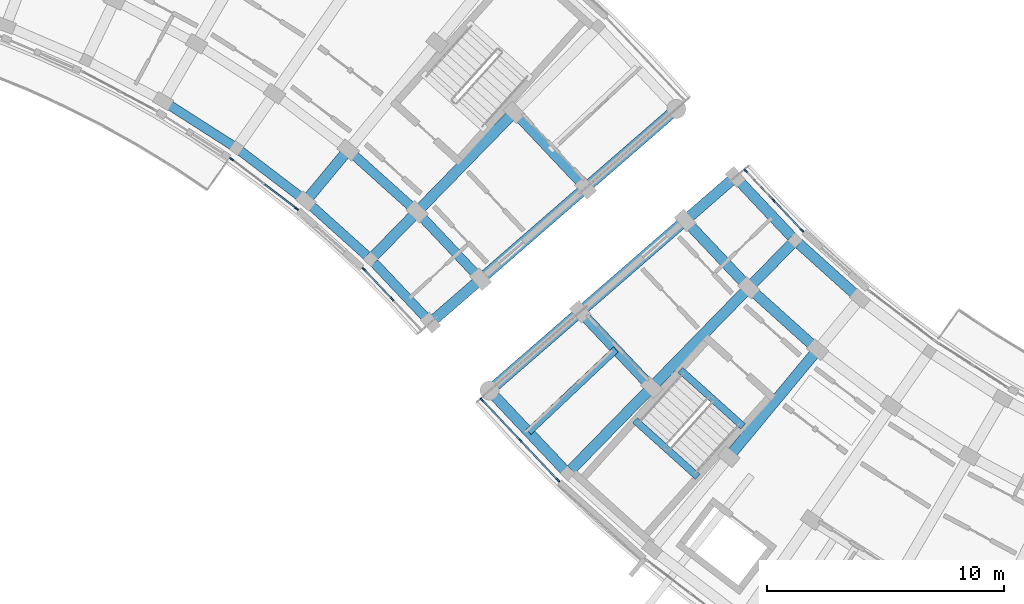
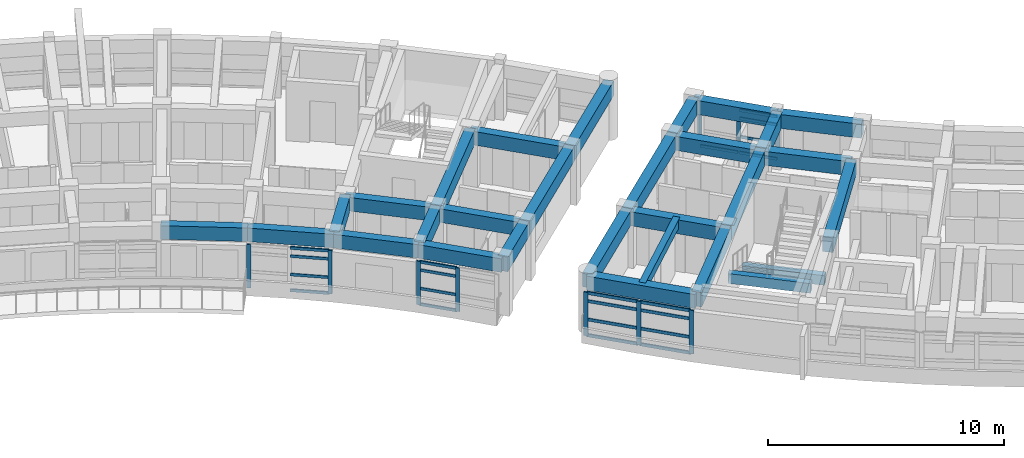
# One storey, part 10 of 56: 31 members, 29 beams, 4 elements without a shape of their own.
"""IFC4 building model written with IfcOpenShell, lengths in metres."""

import ifcopenshell
import ifcopenshell.guid

model = None  # the IFC model being written
_history = None  # IfcOwnerHistory: only IFC2X3 demands one
_inside = {}  # id of a spatial element -> (the spatial element, [elements in it])
_under = {}  # id of a project, library or spatial element -> (it, [spatial elements below it])
_declared = {}  # id of a project -> (the project, [libraries it declares])
_typed = {}  # id of a type object -> (the type object, [elements of that type])
_made_of = {}  # id of a material, layer set ... -> (it, [elements and type objects made of it])


def new_model(schema):
    """Start an empty IFC model of exactly this schema.

    Asked for "IFC4X3", IfcOpenShell would pick the latest addendum, in which some entities
    have other attributes; the version numbers below select the first issue.
    IFC2X3 requires an IfcOwnerHistory on every rooted entity: one is made here for all.
    """
    global model, _history
    if schema == "IFC4X3":
        model = ifcopenshell.file(schema_version=(4, 3, 0, 0))
    else:
        model = ifcopenshell.file(schema=schema)
    _inside.clear()
    _under.clear()
    _declared.clear()
    _typed.clear()
    _made_of.clear()
    _history = None
    if model.schema == "IFC2X3":
        org = make("IfcOrganization", Name="unknown")
        user = make(
            "IfcPersonAndOrganization",
            ThePerson=make("IfcPerson", FamilyName="unknown"),
            TheOrganization=org,
        )
        app = make(
            "IfcApplication",
            ApplicationDeveloper=org,
            Version="unknown",
            ApplicationFullName="unknown",
            ApplicationIdentifier="unknown",
        )
        _history = make(
            "IfcOwnerHistory",
            OwningUser=user,
            OwningApplication=app,
            ChangeAction="ADDED",
            CreationDate=0,
        )
    return model


def make(cls, **values):
    """One entity of the class cls with the attributes given. An attribute that is None is left unset."""
    return model.create_entity(
        cls, **{name: value for name, value in values.items() if value is not None}
    )


def rooted(cls, **values):
    """An entity with a GlobalId (a new one), such as an element, a storey or a relation."""
    return make(cls, GlobalId=ifcopenshell.guid.new(), OwnerHistory=_history, **values)


def si_unit(unit_type, name, prefix=None):
    """IfcSIUnit, for example si_unit("LENGTHUNIT", "METRE", prefix="MILLI")."""
    return make("IfcSIUnit", UnitType=unit_type, Prefix=prefix, Name=name)


def assignment(units):
    """IfcUnitAssignment: the units of a project."""
    return None if units is None else make("IfcUnitAssignment", Units=units)


def point(xyz):
    """IfcCartesianPoint."""
    return None if xyz is None else make("IfcCartesianPoint", Coordinates=xyz)


def direction(xyz):
    """IfcDirection."""
    return None if xyz is None else make("IfcDirection", DirectionRatios=xyz)


def frame(location, z_axis=None, x_axis=None):
    """IfcAxis2Placement3D, a coordinate frame: its origin and axes. An axis left out is left unset."""
    return make(
        "IfcAxis2Placement3D",
        Location=point(location),
        Axis=direction(z_axis),
        RefDirection=direction(x_axis),
    )


def frame_2d(location, x_axis=None):
    """IfcAxis2Placement2D, a coordinate frame in the plane: its origin and x axis."""
    return make(
        "IfcAxis2Placement2D", Location=point(location), RefDirection=direction(x_axis)
    )


def origin():
    """The frame at (0, 0, 0) with its axes left unset."""
    return frame((0.0, 0.0, 0.0))


def origin_2d():
    """The frame at (0, 0) in the plane with its x axis left unset."""
    return frame_2d((0.0, 0.0))


def place(relative_to, where):
    """IfcLocalPlacement: puts the frame where relative to a parent placement (None: the world)."""
    return make(
        "IfcLocalPlacement", PlacementRelTo=relative_to, RelativePlacement=where
    )


def context(
    kind, dimensions, precision=None, world=None, true_north=None, identifier=None
):
    """IfcGeometricRepresentationContext, for example the 3D "Model" context."""
    return make(
        "IfcGeometricRepresentationContext",
        ContextIdentifier=identifier,
        ContextType=kind,
        CoordinateSpaceDimension=dimensions,
        Precision=precision,
        WorldCoordinateSystem=world,
        TrueNorth=true_north,
    )


def subcontext(parent, identifier, kind, view, scale=None):
    """IfcGeometricRepresentationSubContext, for example "Body" below "Model"."""
    return make(
        "IfcGeometricRepresentationSubContext",
        ContextIdentifier=identifier,
        ContextType=kind,
        ParentContext=parent,
        TargetScale=scale,
        TargetView=view,
    )


def project(units=None, contexts=None):
    """IfcProject with its units and contexts."""
    return rooted(
        "IfcProject",
        Name="project",
        RepresentationContexts=contexts,
        UnitsInContext=assignment(units),
    )


def spatial(cls, under=None, at=None, **own):
    """A site, building, storey or space (cls), placed at a placement, below another one or the project."""
    s = rooted(cls, ObjectPlacement=at, **own)
    if under is not None:
        _under.setdefault(under.id(), (under, []))[1].append(s)
    return s


def profile(cls, at=None, kind="AREA", **sizes):
    """A parametric profile (cls). Its sizes go by their IFC names, for example OverallWidth=200.0."""
    return make(cls, ProfileType=kind, Position=at, **sizes)


def rectangle(**sizes):
    """IfcRectangleProfileDef."""
    return profile("IfcRectangleProfileDef", **sizes)


def extrude(swept, where, along, depth):
    """IfcExtrudedAreaSolid: the profile swept, set in the frame where, extruded along a direction by depth."""
    return make(
        "IfcExtrudedAreaSolid",
        SweptArea=swept,
        Position=where,
        ExtrudedDirection=direction(along),
        Depth=depth,
    )


def shape(context_of_items, identifier, shape_type, items):
    """IfcShapeRepresentation: the items that make up one representation, for example the "Body"."""
    return make(
        "IfcShapeRepresentation",
        ContextOfItems=context_of_items,
        RepresentationIdentifier=identifier,
        RepresentationType=shape_type,
        Items=items,
    )


def material(Name=None, Category=None):
    """IfcMaterial."""
    return make("IfcMaterial", Name=Name, Category=Category)


def material_profile(
    of_material, cross_section, Name=None, Category=None, Priority=None
):
    """IfcMaterialProfile: a cross section and its material."""
    return make(
        "IfcMaterialProfile",
        Name=Name,
        Material=of_material,
        Profile=cross_section,
        Priority=Priority,
        Category=Category,
    )


def profile_set(profiles, Name=None, composite=None):
    """IfcMaterialProfileSet."""
    return make(
        "IfcMaterialProfileSet",
        Name=Name,
        MaterialProfiles=profiles,
        CompositeProfile=composite,
    )


def made_of(thing, what):
    """Note that an element or type object is made of a material, layer set ...; save() writes the relation."""
    if what is not None:
        _made_of.setdefault(what.id(), (what, []))[1].append(thing)
    return thing


def type_object(cls, material=None, **own):
    """A type object (cls), such as IfcWallType, which elements share."""
    return made_of(rooted(cls, **own), material)


def element(
    cls,
    number,
    at=None,
    inside=None,
    cuts=None,
    type_object=None,
    material=None,
    context=None,
    identifier="Body",
    shape_type=None,
    held_by="IfcProductDefinitionShape",
    body=None,
    shapes=None,
    **own,
):
    """One element of the class cls, such as IfcWall. Its Tag is "e" and its number.

    at: its placement. inside: the storey or other place that contains it. cuts: it is an
    opening in that element (IfcRelVoidsElement). A single representation is given by context,
    identifier, shape_type and body (its items); several are given by shapes. held_by: the class
    of the entity that holds the representations. save() writes the other relations.
    """
    e = rooted(cls, Tag="e%d" % number, ObjectPlacement=at, **own)
    if body is not None:
        shapes = [shape(context, identifier, shape_type, body)]
    if shapes is not None:
        e.Representation = make(held_by, Representations=shapes)
    if inside is not None:
        _inside.setdefault(inside.id(), (inside, []))[1].append(e)
    if cuts is not None:
        rooted(
            "IfcRelVoidsElement", RelatingBuildingElement=cuts, RelatedOpeningElement=e
        )
    if type_object is not None:
        _typed.setdefault(type_object.id(), (type_object, []))[1].append(e)
    return made_of(e, material)


def aggregate(whole, parts):
    """IfcRelAggregates: a whole, such as a stair, and the parts it consists of."""
    return rooted("IfcRelAggregates", RelatingObject=whole, RelatedObjects=parts)


def save(model, path):
    """Write the relations noted so far, then the file.

    IfcRelAggregates (storeys below a building ...), IfcRelContainedInSpatialStructure (elements
    in a storey), IfcRelDefinesByType, IfcRelAssociatesMaterial and IfcRelDeclares: one each for
    every whole, place, type object, material and project.
    """
    for whole, parts in _under.values():
        aggregate(whole, parts)
    for where, things in _inside.values():
        rooted(
            "IfcRelContainedInSpatialStructure",
            RelatedElements=things,
            RelatingStructure=where,
        )
    for kind, things in _typed.values():
        rooted("IfcRelDefinesByType", RelatedObjects=things, RelatingType=kind)
    for what, things in _made_of.values():
        rooted("IfcRelAssociatesMaterial", RelatedObjects=things, RelatingMaterial=what)
    for by, libraries in _declared.values():
        rooted("IfcRelDeclares", RelatingContext=by, RelatedDefinitions=libraries)
    model.write(path)


model = new_model("IFC4")

# Units and contexts
model_context = context("Model", 3, precision=1e-05, world=origin(), true_north=direction((0.0, 1.0)))
body_context = subcontext(model_context, "Body", "Model", "MODEL_VIEW")
ifc_project = project(units=[si_unit("LENGTHUNIT", "METRE"), si_unit("AREAUNIT", "SQUARE_METRE"), si_unit("VOLUMEUNIT", "CUBIC_METRE"), si_unit("PLANEANGLEUNIT", "RADIAN"), si_unit("MASSUNIT", "GRAM", prefix="KILO")], contexts=[model_context])

# Site, building, storey
site_placement = place(None, origin())
site = spatial("IfcSite", under=ifc_project, at=site_placement, CompositionType="ELEMENT")
building_placement = place(site_placement, origin())
building = spatial("IfcBuilding", under=site, at=building_placement, Name="Zimvara Arc Housing Community", CompositionType="ELEMENT")
storey_placement = place(building_placement, frame((0.0, 0.0, 11.199951171875)))
storey = spatial("IfcBuildingStorey", under=building, at=storey_placement, Name="L03", CompositionType="ELEMENT", Elevation=11.199951171875)

# Beams
ifc_material_1 = material(Name="Concrete C40/50", Category="concrete")
ifc_material_profile_1 = material_profile(ifc_material_1, rectangle(XDim=0.300048828125, YDim=0.449951171875, at=origin_2d()), Name="RC 300x450")
ifc_profile_set_1 = profile_set([ifc_material_profile_1], Name="Concrete C40/50")
beam_type_1 = type_object("IfcBeamType", Name="BM-RC-300x450", PredefinedType="JOIST", material=ifc_profile_set_1)
beam_1_placement = place(storey_placement, frame((86.88427734375, 72.966552734375, 2.635009765625), z_axis=(-0.727299876429, -0.686319815936, 0.0), x_axis=(0.686319815936, -0.727299876429, 0.0)))
element("IfcBeam", 1, at=beam_1_placement, inside=storey, type_object=beam_type_1, Name="bm:blkC:L03:joist:b0", PredefinedType="JOIST", context=body_context, shape_type="SweptSolid", body=[
    extrude(rectangle(XDim=0.300048828125, YDim=0.449951171875, at=origin_2d()), origin(), (0.0, 0.0, 1.0), 5.075927734375),
])
ifc_material_2 = material(Name="Concrete C40/50", Category="concrete")
ifc_material_profile_2 = material_profile(ifc_material_2, rectangle(XDim=0.300048828125, YDim=0.5, at=origin_2d()), Name="RC 300x500")
ifc_profile_set_2 = profile_set([ifc_material_profile_2], Name="Concrete C40/50")
beam_type_2 = type_object("IfcBeamType", Name="BM-RC-300x500", PredefinedType="BEAM", material=ifc_profile_set_2)
beam_2_placement = place(storey_placement, frame((89.604248046875, 72.100830078125, -0.25), z_axis=(0.743396155404, -0.668851370732, 0.0), x_axis=(0.668851370732, 0.743396155404, 0.0)))
element("IfcBeam", 2, at=beam_2_placement, inside=storey, type_object=beam_type_2, Name="bm:stair_trim:ST-C1:L03:near", PredefinedType="BEAM", context=body_context, shape_type="SweptSolid", body=[
    extrude(rectangle(XDim=0.300048828125, YDim=0.5, at=origin_2d()), origin(), (0.0, 0.0, 1.0), 3.56982421875),
])
beam_3_placement = place(storey_placement, frame((87.68994140625, 69.973388671875, 1.300048828125), z_axis=(0.743362151162, -0.668889162881, 0.0), x_axis=(0.668889162881, 0.743362151162, 0.0)))
element("IfcBeam", 3, at=beam_3_placement, inside=storey, type_object=beam_type_2, Name="bm:stair_trim:ST-C1:L03:mid", PredefinedType="BEAM", context=body_context, shape_type="SweptSolid", body=[
    extrude(rectangle(XDim=0.300048828125, YDim=0.5, at=origin_2d()), origin(), (0.0, 0.0, 1.0), 3.570068359375),
])
ifc_material_3 = material(Name="Concrete C40/50", Category="concrete")
ifc_material_profile_3 = material_profile(ifc_material_3, rectangle(XDim=0.39990234375, YDim=0.699951171875, at=origin_2d()), Name="RC 400x700")
ifc_profile_set_3 = profile_set([ifc_material_profile_3], Name="Concrete C40/50")
beam_type_3 = type_object("IfcBeamType", Name="BM-RC-400x700", PredefinedType="BEAM", material=ifc_profile_set_3)
beam_4_placement = place(storey_placement, frame((67.750732421875, 83.46435546875, 2.510009765625), z_axis=(0.842272604079, -0.539051816079, 0.0), x_axis=(0.539051816079, 0.842272604079, 0.0)))
element("IfcBeam", 4, at=beam_4_placement, inside=storey, type_object=beam_type_3, Name="bm:blkB:L03:chord:r0:b6", PredefinedType="BEAM", context=body_context, shape_type="SweptSolid", body=[
    extrude(rectangle(XDim=0.39990234375, YDim=0.699951171875, at=origin_2d()), origin(), (0.0, 0.0, 1.0), 3.684326171875),
])
beam_5_placement = place(storey_placement, frame((70.85400390625, 81.478271484375, 2.510009765625), z_axis=(0.795453014049, -0.606015265847, 0.0), x_axis=(0.606015265847, 0.795453014049, 0.0)))
element("IfcBeam", 5, at=beam_5_placement, inside=storey, type_object=beam_type_3, Name="bm:blkB:L03:chord:r0:b7", PredefinedType="BEAM", context=body_context, shape_type="SweptSolid", body=[
    extrude(rectangle(XDim=0.39990234375, YDim=0.699951171875, at=origin_2d()), origin(), (0.0, 0.0, 1.0), 3.6845703125),
])
beam_6_placement = place(storey_placement, frame((73.784912109375, 79.245361328125, 2.510009765625), z_axis=(0.743366631239, -0.668884183966, 0.0), x_axis=(0.668884183966, 0.743366631239, 0.0)))
element("IfcBeam", 6, at=beam_6_placement, inside=storey, type_object=beam_type_3, Name="bm:blkB:L03:chord:r0:b8", PredefinedType="BEAM", context=body_context, shape_type="SweptSolid", body=[
    extrude(rectangle(XDim=0.39990234375, YDim=0.699951171875, at=origin_2d()), origin(), (0.0, 0.0, 1.0), 3.684326171875),
])
beam_7_placement = place(storey_placement, frame((76.523681640625, 76.781005859375, 2.510009765625), z_axis=(0.686335517678, -0.727285059088, 0.0), x_axis=(0.727285059088, 0.686335517678, 0.0)))
element("IfcBeam", 7, at=beam_7_placement, inside=storey, type_object=beam_type_3, Name="bm:blkB:L03:chord:r0:b9", PredefinedType="BEAM", context=body_context, shape_type="SweptSolid", body=[
    extrude(rectangle(XDim=0.39990234375, YDim=0.699951171875, at=origin_2d()), origin(), (0.0, 0.0, 1.0), 3.6845703125),
])
beam_8_placement = place(storey_placement, frame((75.571044921875, 81.401611328125, 2.510009765625), z_axis=(0.743402719516, -0.668844074965, 0.0), x_axis=(0.668844074965, 0.743402719516, 0.0)))
element("IfcBeam", 8, at=beam_8_placement, inside=storey, type_object=beam_type_3, Name="bm:blkB:L03:chord:r1:b8", PredefinedType="BEAM", context=body_context, shape_type="SweptSolid", body=[
    extrude(rectangle(XDim=0.39990234375, YDim=0.699951171875, at=origin_2d()), origin(), (0.0, 0.0, 1.0), 3.9130859375),
])
beam_9_placement = place(storey_placement, frame((78.47998046875, 78.784423828125, 2.510009765625), z_axis=(0.686315710793, -0.727303750243, 0.0), x_axis=(0.727303750243, 0.686315710793, 0.0)))
element("IfcBeam", 9, at=beam_9_placement, inside=storey, type_object=beam_type_3, Name="bm:blkB:L03:chord:r1:b9", PredefinedType="BEAM", context=body_context, shape_type="SweptSolid", body=[
    extrude(rectangle(XDim=0.39990234375, YDim=0.699951171875, at=origin_2d()), origin(), (0.0, 0.0, 1.0), 3.913330078125),
])
beam_10_placement = place(storey_placement, frame((82.588134765625, 82.9912109375, 2.510009765625), z_axis=(0.686303637813, -0.727315142648, 0.0), x_axis=(0.727315142648, 0.686303637813, 0.0)))
element("IfcBeam", 10, at=beam_10_placement, inside=storey, type_object=beam_type_3, Name="bm:blkB:L03:chord:r2:b9", PredefinedType="BEAM", context=body_context, shape_type="SweptSolid", body=[
    extrude(rectangle(XDim=0.39990234375, YDim=0.699951171875, at=origin_2d()), origin(), (0.0, 0.0, 1.0), 4.393310546875),
])
ifc_material_4 = material(Name="Concrete C40/50", Category="concrete")
ifc_material_profile_4 = material_profile(ifc_material_4, rectangle(XDim=0.43994140625, YDim=0.719970703125, at=origin_2d()), Name="RC 440x720")
ifc_profile_set_4 = profile_set([ifc_material_profile_4], Name="Concrete C40/50")
beam_type_4 = type_object("IfcBeamType", Name="BM-RC-440x720", PredefinedType="BEAM", material=ifc_profile_set_4)
beam_11_placement = place(storey_placement, frame((91.927490234375, 80.258544921875, 2.5), z_axis=(0.686335517678, -0.727285059088, 0.0), x_axis=(0.727285059088, 0.686335517678, 0.0)))
element("IfcBeam", 11, at=beam_11_placement, inside=storey, type_object=beam_type_4, Name="bm:blkC:L03:chord:r0:b0", PredefinedType="BEAM", context=body_context, shape_type="SweptSolid", body=[
    extrude(rectangle(XDim=0.43994140625, YDim=0.719970703125, at=origin_2d()), origin(), (0.0, 0.0, 1.0), 3.6845703125),
])
beam_12_placement = place(storey_placement, frame((94.456298828125, 77.578857421875, 2.5), z_axis=(0.743366631239, -0.668884183966, 0.0), x_axis=(0.668884183966, 0.743366631239, 0.0)))
element("IfcBeam", 12, at=beam_12_placement, inside=storey, type_object=beam_type_4, Name="bm:blkC:L03:chord:r0:b1", PredefinedType="BEAM", context=body_context, shape_type="SweptSolid", body=[
    extrude(rectangle(XDim=0.43994140625, YDim=0.719970703125, at=origin_2d()), origin(), (0.0, 0.0, 1.0), 3.684326171875),
])
for number, where, z_axis, x_axis, name in (
    (13, (89.814208984375, 78.421630859375, 2.5), (0.686346852505, -0.727274362299, 0.0), (0.727274362299, 0.686346852505, 0.0), "bm:blkC:L03:chord:r1:b0"),
    (14, (92.5, 75.57568359375, 2.5), (0.743371697344, -0.668878553691, 0.0), (0.668878553691, 0.743371697344, 0.0), "bm:blkC:L03:chord:r1:b1"),
):
    element("IfcBeam", number, at=place(storey_placement, frame(where, z_axis=z_axis, x_axis=x_axis)), inside=storey, type_object=beam_type_4, Name=name, PredefinedType="BEAM", context=body_context, shape_type="SweptSolid", body=[
        extrude(rectangle(XDim=0.43994140625, YDim=0.719970703125, at=origin_2d()), origin(), (0.0, 0.0, 1.0), 3.9130859375),
    ])
beam_13_placement = place(storey_placement, frame((85.376708984375, 74.56396484375, 2.5), z_axis=(0.686331377274, -0.727288966347, 0.0), x_axis=(0.727288966347, 0.686331377274, 0.0)))
element("IfcBeam", 15, at=beam_13_placement, inside=storey, type_object=beam_type_4, Name="bm:blkC:L03:chord:r2:b0", PredefinedType="BEAM", context=body_context, shape_type="SweptSolid", body=[
    extrude(rectangle(XDim=0.43994140625, YDim=0.719970703125, at=origin_2d()), origin(), (0.0, 0.0, 1.0), 4.39306640625),
])
beam_14_placement = place(storey_placement, frame((81.542724609375, 71.231201171875, 2.5), z_axis=(0.686320791145, -0.727298956168, 0.0), x_axis=(0.727298956168, 0.686320791145, 0.0)))
element("IfcBeam", 16, at=beam_14_placement, inside=storey, type_object=beam_type_4, Name="bm:blkC:L03:chord:r3:b0", PredefinedType="BEAM", context=body_context, shape_type="SweptSolid", body=[
    extrude(rectangle(XDim=0.43994140625, YDim=0.719970703125, at=origin_2d()), origin(), (0.0, 0.0, 1.0), 4.807861328125),
])
ifc_material_5 = material(Name="Concrete C40/50", Category="concrete")
ifc_material_profile_5 = material_profile(ifc_material_5, rectangle(XDim=0.449951171875, YDim=0.75, at=origin_2d()), Name="RC 450x750")
ifc_profile_set_5 = profile_set([ifc_material_profile_5], Name="Concrete C40/50")
beam_type_5 = type_object("IfcBeamType", Name="BM-RC-450x750", PredefinedType="BEAM", material=ifc_profile_set_5)
for number, where, z_axis, x_axis, name in (
    (17, (73.784912109375, 79.245361328125, 2.485107421875), (0.637917412223, 0.770104781951, 0.0), (-0.770104781951, 0.637917412223, 0.0), "bm:blkB:L03:rad:b8:r01"),
    (18, (76.523681640625, 76.781005859375, 2.485107421875), (0.698643013894, 0.71547043205, 0.0), (-0.71547043205, 0.698643013894, 0.0), "bm:blkB:L03:rad:b9:r01"),
):
    element("IfcBeam", number, at=place(storey_placement, frame(where, z_axis=z_axis, x_axis=x_axis)), inside=storey, type_object=beam_type_5, Name=name, PredefinedType="BEAM", context=body_context, shape_type="SweptSolid", body=[
        extrude(rectangle(XDim=0.449951171875, YDim=0.75, at=origin_2d()), origin(), (0.0, 0.0, 1.0), 2.800048828125),
    ])
beam_15_placement = place(storey_placement, frame((78.47998046875, 78.784423828125, 2.485107421875), z_axis=(0.698669844288, 0.715444231707, 0.0), x_axis=(-0.715444231707, 0.698669844288, 0.0)))
element("IfcBeam", 19, at=beam_15_placement, inside=storey, type_object=beam_type_5, Name="bm:blkB:L03:rad:b9:r12", PredefinedType="BEAM", context=body_context, shape_type="SweptSolid", body=[
    extrude(rectangle(XDim=0.449951171875, YDim=0.75, at=origin_2d()), origin(), (0.0, 0.0, 1.0), 5.8798828125),
])
beam_16_placement = place(storey_placement, frame((79.052490234375, 74.101318359375, 2.485107421875), z_axis=(0.754733151583, 0.656031912259, 0.0), x_axis=(-0.656031912259, 0.754733151583, 0.0)))
element("IfcBeam", 20, at=beam_16_placement, inside=storey, type_object=beam_type_5, Name="bm:blkB:L03:rad:b10:r01", PredefinedType="BEAM", context=body_context, shape_type="SweptSolid", body=[
    extrude(rectangle(XDim=0.449951171875, YDim=0.75, at=origin_2d()), origin(), (0.0, 0.0, 1.0), 2.800048828125),
])
beam_17_placement = place(storey_placement, frame((81.165771484375, 75.938232421875, 2.485107421875), z_axis=(0.754692223258, 0.656078995362, 0.0), x_axis=(-0.656078995362, 0.754692223258, 0.0)))
element("IfcBeam", 21, at=beam_17_placement, inside=storey, type_object=beam_type_5, Name="bm:blkB:L03:rad:b10:r12", PredefinedType="BEAM", context=body_context, shape_type="SweptSolid", body=[
    extrude(rectangle(XDim=0.449951171875, YDim=0.75, at=origin_2d()), origin(), (0.0, 0.0, 1.0), 5.8798828125),
])
beam_18_placement = place(storey_placement, frame((85.603271484375, 79.7958984375, 2.485107421875), z_axis=(0.754716217499, 0.656051393599, 0.0), x_axis=(-0.656051393599, 0.754716217499, 0.0)))
element("IfcBeam", 22, at=beam_18_placement, inside=storey, type_object=beam_type_5, Name="bm:blkB:L03:rad:b10:r23", PredefinedType="BEAM", context=body_context, shape_type="SweptSolid", body=[
    extrude(rectangle(XDim=0.449951171875, YDim=0.75, at=origin_2d()), origin(), (0.0, 0.0, 1.0), 5.080078125),
])
beam_19_placement = place(storey_placement, frame((91.927490234375, 80.258544921875, 2.485107421875), z_axis=(-0.754733151583, -0.656031912259, 0.0), x_axis=(0.656031912259, -0.754733151583, 0.0)))
element("IfcBeam", 23, at=beam_19_placement, inside=storey, type_object=beam_type_5, Name="bm:blkC:L03:rad:b0:r01", PredefinedType="BEAM", context=body_context, shape_type="SweptSolid", body=[
    extrude(rectangle(XDim=0.449951171875, YDim=0.75, at=origin_2d()), origin(), (0.0, 0.0, 1.0), 2.800048828125),
])
beam_20_placement = place(storey_placement, frame((89.814208984375, 78.421630859375, 2.485107421875), z_axis=(-0.754692223258, -0.656078995362, 0.0), x_axis=(0.656078995362, -0.754692223258, 0.0)))
element("IfcBeam", 24, at=beam_20_placement, inside=storey, type_object=beam_type_5, Name="bm:blkC:L03:rad:b0:r12", PredefinedType="BEAM", context=body_context, shape_type="SweptSolid", body=[
    extrude(rectangle(XDim=0.449951171875, YDim=0.75, at=origin_2d()), origin(), (0.0, 0.0, 1.0), 5.8798828125),
])
beam_21_placement = place(storey_placement, frame((85.376708984375, 74.56396484375, 2.485107421875), z_axis=(-0.754716217499, -0.656051393599, 0.0), x_axis=(0.656051393599, -0.754716217499, 0.0)))
element("IfcBeam", 25, at=beam_21_placement, inside=storey, type_object=beam_type_5, Name="bm:blkC:L03:rad:b0:r23", PredefinedType="BEAM", context=body_context, shape_type="SweptSolid", body=[
    extrude(rectangle(XDim=0.449951171875, YDim=0.75, at=origin_2d()), origin(), (0.0, 0.0, 1.0), 5.080078125),
])
beam_22_placement = place(storey_placement, frame((94.456298828125, 77.578857421875, 2.485107421875), z_axis=(-0.69868659732, -0.715427871085, 0.0), x_axis=(0.715427871085, -0.69868659732, 0.0)))
element("IfcBeam", 26, at=beam_22_placement, inside=storey, type_object=beam_type_5, Name="bm:blkC:L03:rad:b1:r01", PredefinedType="BEAM", context=body_context, shape_type="SweptSolid", body=[
    extrude(rectangle(XDim=0.449951171875, YDim=0.75, at=origin_2d()), origin(), (0.0, 0.0, 1.0), 2.800048828125),
])
beam_23_placement = place(storey_placement, frame((92.5, 75.57568359375, 2.485107421875), z_axis=(-0.698669844288, -0.715444231707, 0.0), x_axis=(0.715444231707, -0.698669844288, 0.0)))
element("IfcBeam", 27, at=beam_23_placement, inside=storey, type_object=beam_type_5, Name="bm:blkC:L03:rad:b1:r12", PredefinedType="BEAM", context=body_context, shape_type="SweptSolid", body=[
    extrude(rectangle(XDim=0.449951171875, YDim=0.75, at=origin_2d()), origin(), (0.0, 0.0, 1.0), 5.8798828125),
])
beam_24_placement = place(storey_placement, frame((88.391845703125, 71.368896484375, 2.485107421875), z_axis=(-0.698670885014, -0.71544321538, 0.0), x_axis=(0.71544321538, -0.698670885014, 0.0)))
element("IfcBeam", 28, at=beam_24_placement, inside=storey, type_object=beam_type_5, Name="bm:blkC:L03:rad:b1:r23", PredefinedType="BEAM", context=body_context, shape_type="SweptSolid", body=[
    extrude(rectangle(XDim=0.449951171875, YDim=0.75, at=origin_2d()), origin(), (0.0, 0.0, 1.0), 5.080078125),
])
beam_25_placement = place(storey_placement, frame((95.408935546875, 72.958251953125, 2.485107421875), z_axis=(-0.637976362518, -0.770055946583, 0.0), x_axis=(0.770055946583, -0.637976362518, 0.0)))
element("IfcBeam", 29, at=beam_25_placement, inside=storey, type_object=beam_type_5, Name="bm:blkC:L03:rad:b2:r12", PredefinedType="BEAM", context=body_context, shape_type="SweptSolid", body=[
    extrude(rectangle(XDim=0.449951171875, YDim=0.75, at=origin_2d()), origin(), (0.0, 0.0, 1.0), 5.8798828125),
])

# Curtain wall, members
ifc_material_6 = material(Name="Anodised Aluminium AW-6063", Category="aluminium")
curtain_wall_type_1 = type_object("IfcCurtainWallType", Name="CW-SYS-02", PredefinedType="USERDEFINED", material=ifc_material_6)
curtain_wall_1_placement = place(storey_placement, origin())
curtain_wall_1 = element("IfcCurtainWall", 30, at=curtain_wall_1_placement, inside=storey, type_object=curtain_wall_type_1, Name="cw:blkB:L03:in:b7", ObjectType="CURTAIN WALL", PredefinedType="USERDEFINED")
ifc_material_7 = material(Name="Anodised Aluminium AW-6063", Category="aluminium")
ifc_material_profile_6 = material_profile(ifc_material_7, rectangle(XDim=0.06494140625, YDim=0.179931640625, at=origin_2d()), Name="ALU 65x180")
ifc_profile_set_6 = profile_set([ifc_material_profile_6], Name="Anodised Aluminium AW-6063")
member_type_1 = type_object("IfcMemberType", Name="CWM-65x150", PredefinedType="MULLION", material=ifc_profile_set_6)
member_1_placement = place(storey_placement, frame((70.64111328125, 81.012451171875, 0.0), z_axis=(0.0, 0.0, 1.0), x_axis=(0.605988318533, 0.795473543119, 0.0)))
member_1 = element("IfcMember", 31, at=member_1_placement, type_object=member_type_1, Name="CW02 mullion 1", PredefinedType="MULLION", context=body_context, shape_type="SweptSolid", body=[
    extrude(rectangle(XDim=0.06494140625, YDim=0.179931640625, at=origin_2d()), origin(), (0.0, 0.0, 1.0), 2.25),
])
member_2_placement = place(storey_placement, frame((73.392333984375, 78.91650390625, 0.0), z_axis=(0.0, 0.0, 1.0), x_axis=(0.605988318533, 0.795473543119, 0.0)))
member_2 = element("IfcMember", 32, at=member_2_placement, type_object=member_type_1, Name="CW02 mullion 3", PredefinedType="MULLION", context=body_context, shape_type="SweptSolid", body=[
    extrude(rectangle(XDim=0.06494140625, YDim=0.179931640625, at=origin_2d()), origin(), (0.0, 0.0, 1.0), 2.25),
])

ifc_material_8 = material(Name="Anodised Aluminium AW-6063", Category="aluminium")
curtain_wall_type_2 = type_object("IfcCurtainWallType", Name="CW-SYS-04", PredefinedType="USERDEFINED", material=ifc_material_8)
curtain_wall_2_placement = place(storey_placement, origin())
curtain_wall_2 = element("IfcCurtainWall", 33, at=curtain_wall_2_placement, inside=storey, type_object=curtain_wall_type_2, Name="cw:blkB:L03:in:b9", ObjectType="CURTAIN WALL", PredefinedType="USERDEFINED")
member_3_placement = place(storey_placement, frame((76.238037109375, 76.35595703125, 0.0), z_axis=(0.0, 0.0, 1.0), x_axis=(0.727293280483, 0.686326805658, 0.0)))
member_3 = element("IfcMember", 34, at=member_3_placement, type_object=member_type_1, Name="CW04 mullion 1", PredefinedType="MULLION", context=body_context, shape_type="SweptSolid", body=[
    extrude(rectangle(XDim=0.06494140625, YDim=0.179931640625, at=origin_2d()), origin(), (0.0, 0.0, 1.0), 2.25),
])
member_4_placement = place(storey_placement, frame((77.4248046875, 75.098388671875, 0.0), z_axis=(0.0, 0.0, 1.0), x_axis=(0.727293280483, 0.686326805658, 0.0)))
member_4 = element("IfcMember", 35, at=member_4_placement, type_object=member_type_1, Name="CW04 mullion 2", PredefinedType="MULLION", context=body_context, shape_type="SweptSolid", body=[
    extrude(rectangle(XDim=0.06494140625, YDim=0.179931640625, at=origin_2d()), origin(), (0.0, 0.0, 1.0), 2.25),
])

curtain_wall_3_placement = place(storey_placement, origin())
curtain_wall_3 = element("IfcCurtainWall", 36, at=curtain_wall_3_placement, inside=storey, type_object=curtain_wall_type_2, Name="cw:blkC:L03:in:b0", ObjectType="CURTAIN WALL", PredefinedType="USERDEFINED")
member_5_placement = place(storey_placement, frame((92.368408203125, 80.519287109375, 0.0), z_axis=(0.0, 0.0, 1.0), x_axis=(0.727293280483, 0.686326805658, 0.0)))
member_5 = element("IfcMember", 37, at=member_5_placement, type_object=member_type_1, Name="CW04 mullion 1", PredefinedType="MULLION", context=body_context, shape_type="SweptSolid", body=[
    extrude(rectangle(XDim=0.06494140625, YDim=0.179931640625, at=origin_2d()), origin(), (0.0, 0.0, 1.0), 2.25),
])
member_6_placement = place(storey_placement, frame((93.55517578125, 79.26171875, 0.0), z_axis=(0.0, 0.0, 1.0), x_axis=(0.727293280483, 0.686326805658, 0.0)))
member_6 = element("IfcMember", 38, at=member_6_placement, type_object=member_type_1, Name="CW04 mullion 2", PredefinedType="MULLION", context=body_context, shape_type="SweptSolid", body=[
    extrude(rectangle(XDim=0.06494140625, YDim=0.179931640625, at=origin_2d()), origin(), (0.0, 0.0, 1.0), 2.25),
])
member_7_placement = place(storey_placement, frame((94.7421875, 78.00390625, 0.0), z_axis=(0.0, 0.0, 1.0), x_axis=(0.727293280483, 0.686326805658, 0.0)))
member_7 = element("IfcMember", 39, at=member_7_placement, type_object=member_type_1, Name="CW04 mullion 3", PredefinedType="MULLION", context=body_context, shape_type="SweptSolid", body=[
    extrude(rectangle(XDim=0.06494140625, YDim=0.179931640625, at=origin_2d()), origin(), (0.0, 0.0, 1.0), 2.25),
])

ifc_material_9 = material(Name="Anodised Aluminium AW-6063", Category="aluminium")
curtain_wall_type_3 = type_object("IfcCurtainWallType", Name="CW-SYS-03", PredefinedType="USERDEFINED", material=ifc_material_9)
curtain_wall_4_placement = place(storey_placement, origin())
curtain_wall_4 = element("IfcCurtainWall", 40, at=curtain_wall_4_placement, inside=storey, type_object=curtain_wall_type_3, Name="cw:blkC:L03:out:b0", ObjectType="CURTAIN WALL", PredefinedType="USERDEFINED")
ifc_material_10 = material(Name="Anodised Aluminium AW-6063", Category="aluminium")
ifc_material_profile_7 = material_profile(ifc_material_10, rectangle(XDim=0.06494140625, YDim=0.195068359375, at=origin_2d()), Name="ALU 65x195")
ifc_profile_set_7 = profile_set([ifc_material_profile_7], Name="Anodised Aluminium AW-6063")
member_type_2 = type_object("IfcMemberType", Name="CWM-65x180", PredefinedType="MULLION", material=ifc_profile_set_7)
member_8_placement = place(storey_placement, frame((81.228759765625, 70.8359375, 0.0), z_axis=(0.0, 0.0, 1.0), x_axis=(0.727293647725, 0.686326416495, 0.0)))
member_8 = element("IfcMember", 41, at=member_8_placement, type_object=member_type_2, Name="CW03 mullion 1", PredefinedType="MULLION", context=body_context, shape_type="SweptSolid", body=[
    extrude(rectangle(XDim=0.06494140625, YDim=0.195068359375, at=origin_2d()), origin(), (0.0, 0.0, 1.0), 2.25),
])
member_9_placement = place(storey_placement, frame((82.829345703125, 69.139892578125, 0.0), z_axis=(0.0, 0.0, 1.0), x_axis=(0.727293647725, 0.686326416495, 0.0)))
member_9 = element("IfcMember", 42, at=member_9_placement, type_object=member_type_2, Name="CW03 mullion 2", PredefinedType="MULLION", context=body_context, shape_type="SweptSolid", body=[
    extrude(rectangle(XDim=0.06494140625, YDim=0.195068359375, at=origin_2d()), origin(), (0.0, 0.0, 1.0), 2.25),
])
member_10_placement = place(storey_placement, frame((84.4296875, 67.44384765625, 0.0), z_axis=(0.0, 0.0, 1.0), x_axis=(0.727293647725, 0.686326416495, 0.0)))
member_10 = element("IfcMember", 43, at=member_10_placement, type_object=member_type_2, Name="CW03 mullion 3", PredefinedType="MULLION", context=body_context, shape_type="SweptSolid", body=[
    extrude(rectangle(XDim=0.06494140625, YDim=0.195068359375, at=origin_2d()), origin(), (0.0, 0.0, 1.0), 2.25),
])

# Member
ifc_material_11 = material(Name="Anodised Aluminium AW-6063", Category="aluminium")
ifc_material_profile_8 = material_profile(ifc_material_11, rectangle(XDim=0.06494140625, YDim=0.139892578125, at=origin_2d()), Name="ALU 65x140")
ifc_profile_set_8 = profile_set([ifc_material_profile_8], Name="Anodised Aluminium AW-6063")
member_type_3 = type_object("IfcMemberType", Name="CWT-65x120", PredefinedType="USERDEFINED", material=ifc_profile_set_8)
member_11_placement = place(storey_placement, frame((72.04248046875, 79.94482421875, 0.032470703125), z_axis=(0.795488960577, -0.605968079687, 0.0), x_axis=(0.605968079687, 0.795488960577, 0.0)))
member_11 = element("IfcMember", 44, at=member_11_placement, type_object=member_type_3, Name="CW02 transom 2.1", ObjectType="TRANSOM", PredefinedType="USERDEFINED", context=body_context, shape_type="SweptSolid", body=[
    extrude(rectangle(XDim=0.06494140625, YDim=0.139892578125, at=origin_2d()), origin(), (0.0, 0.0, 1.0), 1.664306640625),
])

member_12_placement = place(storey_placement, frame((72.04248046875, 79.94482421875, 0.85009765625), z_axis=(0.795488960577, -0.605968079687, 0.0), x_axis=(0.605968079687, 0.795488960577, 0.0)))
member_12 = element("IfcMember", 45, at=member_12_placement, type_object=member_type_3, Name="CW02 transom 2.2", ObjectType="TRANSOM", PredefinedType="USERDEFINED", context=body_context, shape_type="SweptSolid", body=[
    extrude(rectangle(XDim=0.06494140625, YDim=0.139892578125, at=origin_2d()), origin(), (0.0, 0.0, 1.0), 1.664306640625),
])

member_13_placement = place(storey_placement, frame((72.04248046875, 79.94482421875, 1.800048828125), z_axis=(0.795488960577, -0.605968079687, 0.0), x_axis=(0.605968079687, 0.795488960577, 0.0)))
member_13 = element("IfcMember", 46, at=member_13_placement, type_object=member_type_3, Name="CW02 transom 2.3", ObjectType="TRANSOM", PredefinedType="USERDEFINED", context=body_context, shape_type="SweptSolid", body=[
    extrude(rectangle(XDim=0.06494140625, YDim=0.139892578125, at=origin_2d()), origin(), (0.0, 0.0, 1.0), 1.664306640625),
])

member_14_placement = place(storey_placement, frame((72.04248046875, 79.94482421875, 2.217529296875), z_axis=(0.795488960577, -0.605968079687, 0.0), x_axis=(0.605968079687, 0.795488960577, 0.0)))
member_14 = element("IfcMember", 47, at=member_14_placement, type_object=member_type_3, Name="CW02 transom 2.4", ObjectType="TRANSOM", PredefinedType="USERDEFINED", context=body_context, shape_type="SweptSolid", body=[
    extrude(rectangle(XDim=0.06494140625, YDim=0.139892578125, at=origin_2d()), origin(), (0.0, 0.0, 1.0), 1.664306640625),
])

aggregate(curtain_wall_1, [member_1, member_2, member_11, member_12, member_13, member_14])

member_15_placement = place(storey_placement, frame((76.26025390625, 76.33251953125, 0.032470703125), z_axis=(0.686347817597, -0.727273451516, 0.0), x_axis=(0.727273451516, 0.686347817597, 0.0)))
member_15 = element("IfcMember", 48, at=member_15_placement, type_object=member_type_3, Name="CW04 transom 1.1", ObjectType="TRANSOM", PredefinedType="USERDEFINED", context=body_context, shape_type="SweptSolid", body=[
    extrude(rectangle(XDim=0.06494140625, YDim=0.139892578125, at=origin_2d()), origin(), (0.0, 0.0, 1.0), 1.664306640625),
])

member_16_placement = place(storey_placement, frame((76.26025390625, 76.33251953125, 0.85009765625), z_axis=(0.686347817597, -0.727273451516, 0.0), x_axis=(0.727273451516, 0.686347817597, 0.0)))
member_16 = element("IfcMember", 49, at=member_16_placement, type_object=member_type_3, Name="CW04 transom 1.2", ObjectType="TRANSOM", PredefinedType="USERDEFINED", context=body_context, shape_type="SweptSolid", body=[
    extrude(rectangle(XDim=0.06494140625, YDim=0.139892578125, at=origin_2d()), origin(), (0.0, 0.0, 1.0), 1.664306640625),
])

member_17_placement = place(storey_placement, frame((76.26025390625, 76.33251953125, 1.800048828125), z_axis=(0.686347817597, -0.727273451516, 0.0), x_axis=(0.727273451516, 0.686347817597, 0.0)))
member_17 = element("IfcMember", 50, at=member_17_placement, type_object=member_type_3, Name="CW04 transom 1.3", ObjectType="TRANSOM", PredefinedType="USERDEFINED", context=body_context, shape_type="SweptSolid", body=[
    extrude(rectangle(XDim=0.06494140625, YDim=0.139892578125, at=origin_2d()), origin(), (0.0, 0.0, 1.0), 1.664306640625),
])

member_18_placement = place(storey_placement, frame((76.26025390625, 76.33251953125, 2.217529296875), z_axis=(0.686347817597, -0.727273451516, 0.0), x_axis=(0.727273451516, 0.686347817597, 0.0)))
member_18 = element("IfcMember", 51, at=member_18_placement, type_object=member_type_3, Name="CW04 transom 1.4", ObjectType="TRANSOM", PredefinedType="USERDEFINED", context=body_context, shape_type="SweptSolid", body=[
    extrude(rectangle(XDim=0.06494140625, YDim=0.139892578125, at=origin_2d()), origin(), (0.0, 0.0, 1.0), 1.664306640625),
])

aggregate(curtain_wall_2, [member_3, member_4, member_15, member_16, member_17, member_18])

member_19_placement = place(storey_placement, frame((92.390625, 80.495849609375, 0.032470703125), z_axis=(0.686347817597, -0.727273451516, 0.0), x_axis=(0.727273451516, 0.686347817597, 0.0)))
member_19 = element("IfcMember", 52, at=member_19_placement, type_object=member_type_3, Name="CW04 transom 1.1", ObjectType="TRANSOM", PredefinedType="USERDEFINED", context=body_context, shape_type="SweptSolid", body=[
    extrude(rectangle(XDim=0.06494140625, YDim=0.139892578125, at=origin_2d()), origin(), (0.0, 0.0, 1.0), 1.664306640625),
])

member_20_placement = place(storey_placement, frame((93.57763671875, 79.238037109375, 0.032470703125), z_axis=(0.686270219286, -0.727346675335, 0.0), x_axis=(0.727346675335, 0.686270219286, 0.0)))
member_20 = element("IfcMember", 53, at=member_20_placement, type_object=member_type_3, Name="CW04 transom 2.1", ObjectType="TRANSOM", PredefinedType="USERDEFINED", context=body_context, shape_type="SweptSolid", body=[
    extrude(rectangle(XDim=0.06494140625, YDim=0.139892578125, at=origin_2d()), origin(), (0.0, 0.0, 1.0), 1.664306640625),
])

member_21_placement = place(storey_placement, frame((93.57763671875, 79.238037109375, 0.85009765625), z_axis=(0.686270219286, -0.727346675335, 0.0), x_axis=(0.727346675335, 0.686270219286, 0.0)))
member_21 = element("IfcMember", 54, at=member_21_placement, type_object=member_type_3, Name="CW04 transom 2.2", ObjectType="TRANSOM", PredefinedType="USERDEFINED", context=body_context, shape_type="SweptSolid", body=[
    extrude(rectangle(XDim=0.06494140625, YDim=0.139892578125, at=origin_2d()), origin(), (0.0, 0.0, 1.0), 1.664306640625),
])

member_22_placement = place(storey_placement, frame((93.57763671875, 79.238037109375, 1.800048828125), z_axis=(0.686270219286, -0.727346675335, 0.0), x_axis=(0.727346675335, 0.686270219286, 0.0)))
member_22 = element("IfcMember", 55, at=member_22_placement, type_object=member_type_3, Name="CW04 transom 2.3", ObjectType="TRANSOM", PredefinedType="USERDEFINED", context=body_context, shape_type="SweptSolid", body=[
    extrude(rectangle(XDim=0.06494140625, YDim=0.139892578125, at=origin_2d()), origin(), (0.0, 0.0, 1.0), 1.664306640625),
])

member_23_placement = place(storey_placement, frame((93.57763671875, 79.238037109375, 2.217529296875), z_axis=(0.686270219286, -0.727346675335, 0.0), x_axis=(0.727346675335, 0.686270219286, 0.0)))
member_23 = element("IfcMember", 56, at=member_23_placement, type_object=member_type_3, Name="CW04 transom 2.4", ObjectType="TRANSOM", PredefinedType="USERDEFINED", context=body_context, shape_type="SweptSolid", body=[
    extrude(rectangle(XDim=0.06494140625, YDim=0.139892578125, at=origin_2d()), origin(), (0.0, 0.0, 1.0), 1.664306640625),
])

aggregate(curtain_wall_3, [member_5, member_6, member_7, member_19, member_20, member_21, member_22, member_23])

ifc_material_12 = material(Name="Anodised Aluminium AW-6063", Category="aluminium")
ifc_material_profile_9 = material_profile(ifc_material_12, rectangle(XDim=0.06494140625, YDim=0.155029296875, at=origin_2d()), Name="ALU 65x155")
ifc_profile_set_9 = profile_set([ifc_material_profile_9], Name="Anodised Aluminium AW-6063")
member_type_4 = type_object("IfcMemberType", Name="CWT-65x140", PredefinedType="USERDEFINED", material=ifc_profile_set_9)
member_24_placement = place(storey_placement, frame((81.251220703125, 70.812255859375, 0.032470703125), z_axis=(0.68629138792, -0.727326701604, 0.0), x_axis=(0.727326701604, 0.68629138792, 0.0)))
member_24 = element("IfcMember", 57, at=member_24_placement, type_object=member_type_4, Name="CW03 transom 1.1", ObjectType="TRANSOM", PredefinedType="USERDEFINED", context=body_context, shape_type="SweptSolid", body=[
    extrude(rectangle(XDim=0.06494140625, YDim=0.155029296875, at=origin_2d()), origin(), (0.0, 0.0, 1.0), 2.266845703125),
])

member_25_placement = place(storey_placement, frame((81.251220703125, 70.812255859375, 0.85009765625), z_axis=(0.68629138792, -0.727326701604, 0.0), x_axis=(0.727326701604, 0.68629138792, 0.0)))
member_25 = element("IfcMember", 58, at=member_25_placement, type_object=member_type_4, Name="CW03 transom 1.2", ObjectType="TRANSOM", PredefinedType="USERDEFINED", context=body_context, shape_type="SweptSolid", body=[
    extrude(rectangle(XDim=0.06494140625, YDim=0.155029296875, at=origin_2d()), origin(), (0.0, 0.0, 1.0), 2.266845703125),
])

member_26_placement = place(storey_placement, frame((81.251220703125, 70.812255859375, 1.800048828125), z_axis=(0.68629138792, -0.727326701604, 0.0), x_axis=(0.727326701604, 0.68629138792, 0.0)))
member_26 = element("IfcMember", 59, at=member_26_placement, type_object=member_type_4, Name="CW03 transom 1.3", ObjectType="TRANSOM", PredefinedType="USERDEFINED", context=body_context, shape_type="SweptSolid", body=[
    extrude(rectangle(XDim=0.06494140625, YDim=0.155029296875, at=origin_2d()), origin(), (0.0, 0.0, 1.0), 2.266845703125),
])

member_27_placement = place(storey_placement, frame((81.251220703125, 70.812255859375, 2.217529296875), z_axis=(0.68629138792, -0.727326701604, 0.0), x_axis=(0.727326701604, 0.68629138792, 0.0)))
member_27 = element("IfcMember", 60, at=member_27_placement, type_object=member_type_4, Name="CW03 transom 1.4", ObjectType="TRANSOM", PredefinedType="USERDEFINED", context=body_context, shape_type="SweptSolid", body=[
    extrude(rectangle(XDim=0.06494140625, YDim=0.155029296875, at=origin_2d()), origin(), (0.0, 0.0, 1.0), 2.266845703125),
])

member_28_placement = place(storey_placement, frame((82.8515625, 69.1162109375, 0.032470703125), z_axis=(0.686348357589, -0.727272941911, 0.0), x_axis=(0.727272941911, 0.686348357589, 0.0)))
member_28 = element("IfcMember", 61, at=member_28_placement, type_object=member_type_4, Name="CW03 transom 2.1", ObjectType="TRANSOM", PredefinedType="USERDEFINED", context=body_context, shape_type="SweptSolid", body=[
    extrude(rectangle(XDim=0.06494140625, YDim=0.155029296875, at=origin_2d()), origin(), (0.0, 0.0, 1.0), 2.266845703125),
])

member_29_placement = place(storey_placement, frame((82.8515625, 69.1162109375, 0.85009765625), z_axis=(0.686348357589, -0.727272941911, 0.0), x_axis=(0.727272941911, 0.686348357589, 0.0)))
member_29 = element("IfcMember", 62, at=member_29_placement, type_object=member_type_4, Name="CW03 transom 2.2", ObjectType="TRANSOM", PredefinedType="USERDEFINED", context=body_context, shape_type="SweptSolid", body=[
    extrude(rectangle(XDim=0.06494140625, YDim=0.155029296875, at=origin_2d()), origin(), (0.0, 0.0, 1.0), 2.266845703125),
])

member_30_placement = place(storey_placement, frame((82.8515625, 69.1162109375, 1.800048828125), z_axis=(0.686348357589, -0.727272941911, 0.0), x_axis=(0.727272941911, 0.686348357589, 0.0)))
member_30 = element("IfcMember", 63, at=member_30_placement, type_object=member_type_4, Name="CW03 transom 2.3", ObjectType="TRANSOM", PredefinedType="USERDEFINED", context=body_context, shape_type="SweptSolid", body=[
    extrude(rectangle(XDim=0.06494140625, YDim=0.155029296875, at=origin_2d()), origin(), (0.0, 0.0, 1.0), 2.266845703125),
])

member_31_placement = place(storey_placement, frame((82.8515625, 69.1162109375, 2.217529296875), z_axis=(0.686348357589, -0.727272941911, 0.0), x_axis=(0.727272941911, 0.686348357589, 0.0)))
member_31 = element("IfcMember", 64, at=member_31_placement, type_object=member_type_4, Name="CW03 transom 2.4", ObjectType="TRANSOM", PredefinedType="USERDEFINED", context=body_context, shape_type="SweptSolid", body=[
    extrude(rectangle(XDim=0.06494140625, YDim=0.155029296875, at=origin_2d()), origin(), (0.0, 0.0, 1.0), 2.266845703125),
])

aggregate(curtain_wall_4, [member_8, member_9, member_10, member_24, member_25, member_26, member_27, member_28, member_29, member_30, member_31])

save(model, "model.ifc")
